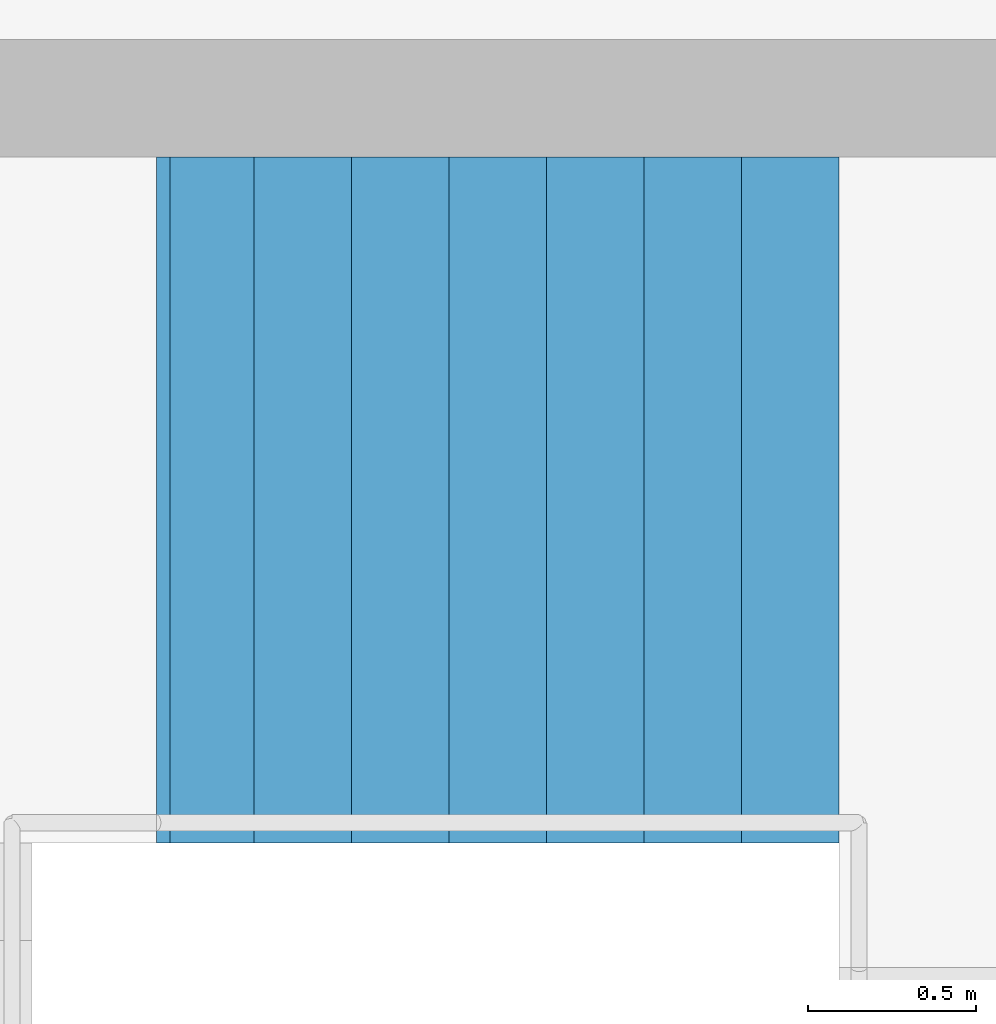
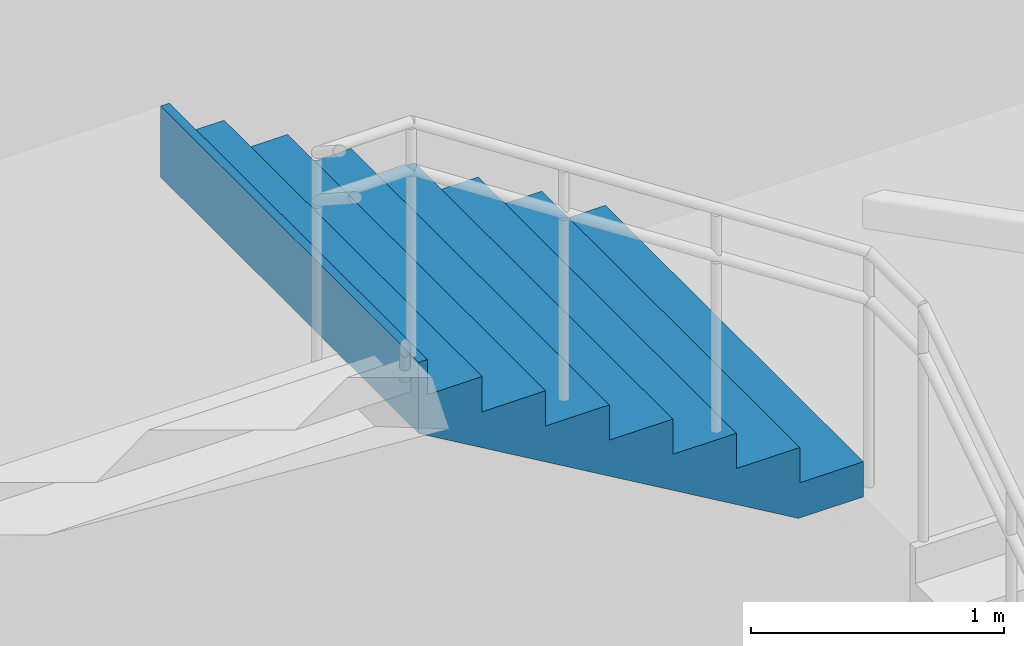
# One storey, part 29 of 50: 1 stair flight, 1 element without a shape of its own.
"""IFC4 building model written with IfcOpenShell, lengths in metres."""

from ifc_helpers import new_model, si_unit, direction, frame, origin, place, context, subcontext, project, spatial, triangles, material, type_object, element, aggregate, save


model = new_model("IFC4")

# Units and contexts
model_context = context("Model", 3, precision=1e-05, world=origin(), true_north=direction((0.0, 1.0)))
body_context = subcontext(model_context, "Body", "Model", "MODEL_VIEW")
ifc_project = project(units=[si_unit("LENGTHUNIT", "METRE"), si_unit("AREAUNIT", "SQUARE_METRE"), si_unit("VOLUMEUNIT", "CUBIC_METRE"), si_unit("PLANEANGLEUNIT", "RADIAN"), si_unit("MASSUNIT", "GRAM", prefix="KILO")], contexts=[model_context])

# Site, building, storey
site_placement = place(None, origin())
site = spatial("IfcSite", under=ifc_project, at=site_placement, CompositionType="ELEMENT")
building_placement = place(site_placement, origin())
building = spatial("IfcBuilding", under=site, at=building_placement, Name="Sillaruma Civic Art Gallery", CompositionType="ELEMENT")
storey_placement = place(building_placement, origin())
storey = spatial("IfcBuildingStorey", under=building, at=storey_placement, Name="L00", CompositionType="ELEMENT", Elevation=0.0)

# Stair, stair flight
ifc_material = material(Name="Concrete H35 (35 MPa)", Category="concrete")
stair_type = type_object("IfcStairType", Name="STR-4F-32", PredefinedType="USERDEFINED", material=ifc_material)
stair_placement = place(storey_placement, origin())
stair = element("IfcStair", 1, at=stair_placement, inside=storey, type_object=stair_type, Name="Protected Exit Stair ST-03 (West Bar South) (L00)", ObjectType="THREE_RETURN_STAIR", PredefinedType="USERDEFINED")
stair_flight_type = type_object("IfcStairFlightType", Name="SFL-STR-8", PredefinedType="STRAIGHT", material=ifc_material)
stair_flight_placement = place(storey_placement, frame((67.199951171875, 36.8701171875, 2.719970703125), z_axis=(0.0, 0.0, 1.0), x_axis=(-1.0, 0.0, 0.0)))
stair_flight = element("IfcStairFlight", 2, at=stair_flight_placement, type_object=stair_flight_type, Name="ST-03 flight 3", NumberOfRisers=8, NumberOfTreads=7, PredefinedType="STRAIGHT", RiserHeight=0.17, TreadLength=0.29, context=body_context, shape_type="Tessellation", body=[
    triangles([(0.0, -1.02001953125, 0.0), (0.29, -1.02001953125, 0.0), (0.296443, -1.02001953125, 0.0), (0.58, -1.02001953125, 0.166223), (0.87, -1.02001953125, 0.336223), (1.16, -1.02001953125, 0.506223), (1.45, -1.02001953125, 0.676223), (1.74, -1.02001953125, 0.846223), (1.990029, -1.02001953125, 0.992792), (2.030029, -1.02001953125, 1.01624), (2.030029, -1.02001953125, 1.36), (1.990029, -1.02001953125, 1.36), (1.990029, -1.02001953125, 1.19), (1.74, -1.02001953125, 1.19), (1.74, -1.02001953125, 1.02), (1.45, -1.02001953125, 1.02), (1.45, -1.02001953125, 0.85), (1.16, -1.02001953125, 0.85), (1.16, -1.02001953125, 0.68), (0.87, -1.02001953125, 0.68), (0.87, -1.02001953125, 0.51), (0.58, -1.02001953125, 0.51), (0.58, -1.02001953125, 0.34), (0.296443, -1.02001953125, 0.34), (0.29, -1.02001953125, 0.34), (0.29, -1.02001953125, 0.17), (0.0, -1.02001953125, 0.17), (0.0, -0.05, 0.0), (0.29, -0.05, 0.0), (0.296443, -0.05, 0.0), (0.58, -0.05, 0.166223), (0.87, -0.05, 0.336223), (1.16, -0.05, 0.506223), (1.45, -0.05, 0.676223), (1.74, -0.05, 0.846223), (1.990029, -0.05, 0.992792), (2.030029, -0.05, 1.01624), (2.030029, -0.05, 1.36), (1.990029, -0.05, 1.36), (1.990029, -0.05, 1.19), (1.74, -0.05, 1.19), (1.74, -0.05, 1.02), (1.45, -0.05, 1.02), (1.45, -0.05, 0.85), (1.16, -0.05, 0.85), (1.16, -0.05, 0.68), (0.87, -0.05, 0.68), (0.87, -0.05, 0.51), (0.58, -0.05, 0.51), (0.58, -0.05, 0.34), (0.296443, -0.05, 0.34), (0.29, -0.05, 0.34), (0.29, -0.05, 0.17), (0.0, -0.05, 0.17), (0.0, -0.0375, 0.0), (0.29, -0.0375, 0.0), (0.296443, -0.0375, 0.0), (0.58, -0.0375, 0.166223), (0.87, -0.0375, 0.336223), (1.16, -0.0375, 0.506223), (1.45, -0.0375, 0.676223), (1.74, -0.0375, 0.846223), (1.990029, -0.0375, 0.992792), (2.030029, -0.0375, 1.01624), (2.030029, -0.0375, 1.36), (1.990029, -0.0375, 1.36), (1.990029, -0.0375, 1.19), (1.74, -0.0375, 1.19), (1.74, -0.0375, 1.02), (1.45, -0.0375, 1.02), (1.45, -0.0375, 0.85), (1.16, -0.0375, 0.85), (1.16, -0.0375, 0.68), (0.87, -0.0375, 0.68), (0.87, -0.0375, 0.51), (0.58, -0.0375, 0.51), (0.58, -0.0375, 0.34), (0.296443, -0.0375, 0.34), (0.29, -0.0375, 0.34), (0.29, -0.0375, 0.17), (0.0, -0.0375, 0.17), (0.0, -0.025, 0.0), (0.29, -0.025, 0.0), (0.296443, -0.025, 0.0), (0.58, -0.025, 0.166223), (0.87, -0.025, 0.336223), (1.16, -0.025, 0.506223), (1.45, -0.025, 0.676223), (1.74, -0.025, 0.846223), (1.990029, -0.025, 0.992792), (2.030029, -0.025, 1.01624), (2.030029, -0.025, 1.36), (1.990029, -0.025, 1.36), (1.990029, -0.025, 1.19), (1.74, -0.025, 1.19), (1.74, -0.025, 1.02), (1.45, -0.025, 1.02), (1.45, -0.025, 0.85), (1.16, -0.025, 0.85), (1.16, -0.025, 0.68), (0.87, -0.025, 0.68), (0.87, -0.025, 0.51), (0.58, -0.025, 0.51), (0.58, -0.025, 0.34), (0.296443, -0.025, 0.34), (0.29, -0.025, 0.34), (0.29, -0.025, 0.17), (0.0, -0.025, 0.17), (0.0, -0.0125, 0.0), (0.29, -0.0125, 0.0), (0.296443, -0.0125, 0.0), (0.58, -0.0125, 0.166223), (0.87, -0.0125, 0.336223), (1.16, -0.0125, 0.506223), (1.45, -0.0125, 0.676223), (1.74, -0.0125, 0.846223), (1.990029, -0.0125, 0.992792), (2.030029, -0.0125, 1.01624), (2.030029, -0.0125, 1.36), (1.990029, -0.0125, 1.36), (1.990029, -0.0125, 1.19), (1.74, -0.0125, 1.19), (1.74, -0.0125, 1.02), (1.45, -0.0125, 1.02), (1.45, -0.0125, 0.85), (1.16, -0.0125, 0.85), (1.16, -0.0125, 0.68), (0.87, -0.0125, 0.68), (0.87, -0.0125, 0.51), (0.58, -0.0125, 0.51), (0.58, -0.0125, 0.34), (0.296443, -0.0125, 0.34), (0.29, -0.0125, 0.34), (0.29, -0.0125, 0.17), (0.0, -0.0125, 0.17), (0.0, 0.0, 0.0), (0.29, 0.0, 0.0), (0.296443, 0.0, 0.0), (0.58, 0.0, 0.166223), (0.87, 0.0, 0.336223), (1.16, 0.0, 0.506223), (1.45, 0.0, 0.676223), (1.74, 0.0, 0.846223), (1.990029, 0.0, 0.992792), (2.030029, 0.0, 1.01624), (2.030029, 0.0, 1.36), (1.990029, 0.0, 1.36), (1.990029, 0.0, 1.19), (1.74, 0.0, 1.19), (1.74, 0.0, 1.02), (1.45, 0.0, 1.02), (1.45, 0.0, 0.85), (1.16, 0.0, 0.85), (1.16, 0.0, 0.68), (0.87, 0.0, 0.68), (0.87, 0.0, 0.51), (0.58, 0.0, 0.51), (0.58, 0.0, 0.34), (0.296443, 0.0, 0.34), (0.29, 0.0, 0.34), (0.29, 0.0, 0.17), (0.0, 0.0, 0.17), (0.0, 0.0125, 0.0), (0.29, 0.0125, 0.0), (0.296443, 0.0125, 0.0), (0.58, 0.0125, 0.166223), (0.87, 0.0125, 0.336223), (1.16, 0.0125, 0.506223), (1.45, 0.0125, 0.676223), (1.74, 0.0125, 0.846223), (1.990029, 0.0125, 0.992792), (2.030029, 0.0125, 1.01624), (2.030029, 0.0125, 1.36), (1.990029, 0.0125, 1.36), (1.990029, 0.0125, 1.19), (1.74, 0.0125, 1.19), (1.74, 0.0125, 1.02), (1.45, 0.0125, 1.02), (1.45, 0.0125, 0.85), (1.16, 0.0125, 0.85), (1.16, 0.0125, 0.68), (0.87, 0.0125, 0.68), (0.87, 0.0125, 0.51), (0.58, 0.0125, 0.51), (0.58, 0.0125, 0.34), (0.296443, 0.0125, 0.34), (0.29, 0.0125, 0.34), (0.29, 0.0125, 0.17), (0.0, 0.0125, 0.17), (0.0, 0.025, 0.0), (0.29, 0.025, 0.0), (0.296443, 0.025, 0.0), (0.58, 0.025, 0.166223), (0.87, 0.025, 0.336223), (1.16, 0.025, 0.506223), (1.45, 0.025, 0.676223), (1.74, 0.025, 0.846223), (1.990029, 0.025, 0.992792), (2.030029, 0.025, 1.01624), (2.030029, 0.025, 1.36), (1.990029, 0.025, 1.36), (1.990029, 0.025, 1.19), (1.74, 0.025, 1.19), (1.74, 0.025, 1.02), (1.45, 0.025, 1.02), (1.45, 0.025, 0.85), (1.16, 0.025, 0.85), (1.16, 0.025, 0.68), (0.87, 0.025, 0.68), (0.87, 0.025, 0.51), (0.58, 0.025, 0.51), (0.58, 0.025, 0.34), (0.296443, 0.025, 0.34), (0.29, 0.025, 0.34), (0.29, 0.025, 0.17), (0.0, 0.025, 0.17), (0.0, 0.0375, 0.0), (0.29, 0.0375, 0.0), (0.296443, 0.0375, 0.0), (0.58, 0.0375, 0.166223), (0.87, 0.0375, 0.336223), (1.16, 0.0375, 0.506223), (1.45, 0.0375, 0.676223), (1.74, 0.0375, 0.846223), (1.990029, 0.0375, 0.992792), (2.030029, 0.0375, 1.01624), (2.030029, 0.0375, 1.36), (1.990029, 0.0375, 1.36), (1.990029, 0.0375, 1.19), (1.74, 0.0375, 1.19), (1.74, 0.0375, 1.02), (1.45, 0.0375, 1.02), (1.45, 0.0375, 0.85), (1.16, 0.0375, 0.85), (1.16, 0.0375, 0.68), (0.87, 0.0375, 0.68), (0.87, 0.0375, 0.51), (0.58, 0.0375, 0.51), (0.58, 0.0375, 0.34), (0.296443, 0.0375, 0.34), (0.29, 0.0375, 0.34), (0.29, 0.0375, 0.17), (0.0, 0.0375, 0.17), (0.0, 0.05, 0.0), (0.29, 0.05, 0.0), (0.296443, 0.05, 0.0), (0.58, 0.05, 0.166223), (0.87, 0.05, 0.336223), (1.16, 0.05, 0.506223), (1.45, 0.05, 0.676223), (1.74, 0.05, 0.846223), (1.990029, 0.05, 0.992792), (2.030029, 0.05, 1.01624), (2.030029, 0.05, 1.36), (1.990029, 0.05, 1.36), (1.990029, 0.05, 1.19), (1.74, 0.05, 1.19), (1.74, 0.05, 1.02), (1.45, 0.05, 1.02), (1.45, 0.05, 0.85), (1.16, 0.05, 0.85), (1.16, 0.05, 0.68), (0.87, 0.05, 0.68), (0.87, 0.05, 0.51), (0.58, 0.05, 0.51), (0.58, 0.05, 0.34), (0.296443, 0.05, 0.34), (0.29, 0.05, 0.34), (0.29, 0.05, 0.17), (0.0, 0.05, 0.17), (0.0, 1.02001953125, 0.0), (0.29, 1.02001953125, 0.0), (0.296443, 1.02001953125, 0.0), (0.58, 1.02001953125, 0.166223), (0.87, 1.02001953125, 0.336223), (1.16, 1.02001953125, 0.506223), (1.45, 1.02001953125, 0.676223), (1.74, 1.02001953125, 0.846223), (1.990029, 1.02001953125, 0.992792), (2.030029, 1.02001953125, 1.01624), (2.030029, 1.02001953125, 1.36), (1.990029, 1.02001953125, 1.36), (1.990029, 1.02001953125, 1.19), (1.74, 1.02001953125, 1.19), (1.74, 1.02001953125, 1.02), (1.45, 1.02001953125, 1.02), (1.45, 1.02001953125, 0.85), (1.16, 1.02001953125, 0.85), (1.16, 1.02001953125, 0.68), (0.87, 1.02001953125, 0.68), (0.87, 1.02001953125, 0.51), (0.58, 1.02001953125, 0.51), (0.58, 1.02001953125, 0.34), (0.296443, 1.02001953125, 0.34), (0.29, 1.02001953125, 0.34), (0.29, 1.02001953125, 0.17), (0.0, 1.02001953125, 0.17)], [[1, 2, 26], [1, 26, 27], [2, 3, 24], [2, 24, 26], [26, 24, 25], [3, 4, 23], [3, 23, 24], [4, 5, 21], [4, 21, 23], [23, 21, 22], [5, 6, 19], [5, 19, 21], [21, 19, 20], [6, 7, 17], [6, 17, 19], [19, 17, 18], [7, 8, 15], [7, 15, 17], [17, 15, 16], [8, 9, 13], [8, 13, 15], [15, 13, 14], [9, 10, 11], [9, 11, 13], [13, 11, 12], [296, 272, 271], [297, 296, 271], [294, 273, 272], [296, 294, 272], [295, 294, 296], [293, 274, 273], [294, 293, 273], [291, 275, 274], [293, 291, 274], [292, 291, 293], [289, 276, 275], [291, 289, 275], [290, 289, 291], [287, 277, 276], [289, 287, 276], [288, 287, 289], [285, 278, 277], [287, 285, 277], [286, 285, 287], [283, 279, 278], [285, 283, 278], [284, 283, 285], [281, 280, 279], [283, 281, 279], [282, 281, 283], [2, 1, 28], [2, 28, 29], [3, 2, 29], [3, 29, 30], [4, 3, 30], [4, 30, 31], [5, 4, 31], [5, 31, 32], [6, 5, 32], [6, 32, 33], [7, 6, 33], [7, 33, 34], [8, 7, 34], [8, 34, 35], [9, 8, 35], [9, 35, 36], [10, 9, 36], [10, 36, 37], [11, 10, 37], [11, 37, 38], [12, 11, 38], [12, 38, 39], [13, 12, 39], [13, 39, 40], [14, 13, 40], [14, 40, 41], [15, 14, 41], [15, 41, 42], [16, 15, 42], [16, 42, 43], [17, 16, 43], [17, 43, 44], [18, 17, 44], [18, 44, 45], [19, 18, 45], [19, 45, 46], [20, 19, 46], [20, 46, 47], [21, 20, 47], [21, 47, 48], [22, 21, 48], [22, 48, 49], [23, 22, 49], [23, 49, 50], [24, 23, 50], [24, 50, 51], [25, 24, 51], [25, 51, 52], [26, 25, 52], [26, 52, 53], [27, 26, 53], [27, 53, 54], [1, 27, 54], [1, 54, 28], [29, 28, 55], [29, 55, 56], [30, 29, 56], [30, 56, 57], [31, 30, 57], [31, 57, 58], [32, 31, 58], [32, 58, 59], [33, 32, 59], [33, 59, 60], [34, 33, 60], [34, 60, 61], [35, 34, 61], [35, 61, 62], [36, 35, 62], [36, 62, 63], [37, 36, 63], [37, 63, 64], [38, 37, 64], [38, 64, 65], [39, 38, 65], [39, 65, 66], [40, 39, 66], [40, 66, 67], [41, 40, 67], [41, 67, 68], [42, 41, 68], [42, 68, 69], [43, 42, 69], [43, 69, 70], [44, 43, 70], [44, 70, 71], [45, 44, 71], [45, 71, 72], [46, 45, 72], [46, 72, 73], [47, 46, 73], [47, 73, 74], [48, 47, 74], [48, 74, 75], [49, 48, 75], [49, 75, 76], [50, 49, 76], [50, 76, 77], [51, 50, 77], [51, 77, 78], [52, 51, 78], [52, 78, 79], [53, 52, 79], [53, 79, 80], [54, 53, 80], [54, 80, 81], [28, 54, 81], [28, 81, 55], [56, 55, 82], [56, 82, 83], [57, 56, 83], [57, 83, 84], [58, 57, 84], [58, 84, 85], [59, 58, 85], [59, 85, 86], [60, 59, 86], [60, 86, 87], [61, 60, 87], [61, 87, 88], [62, 61, 88], [62, 88, 89], [63, 62, 89], [63, 89, 90], [64, 63, 90], [64, 90, 91], [65, 64, 91], [65, 91, 92], [66, 65, 92], [66, 92, 93], [67, 66, 93], [67, 93, 94], [68, 67, 94], [68, 94, 95], [69, 68, 95], [69, 95, 96], [70, 69, 96], [70, 96, 97], [71, 70, 97], [71, 97, 98], [72, 71, 98], [72, 98, 99], [73, 72, 99], [73, 99, 100], [74, 73, 100], [74, 100, 101], [75, 74, 101], [75, 101, 102], [76, 75, 102], [76, 102, 103], [77, 76, 103], [77, 103, 104], [78, 77, 104], [78, 104, 105], [79, 78, 105], [79, 105, 106], [80, 79, 106], [80, 106, 107], [81, 80, 107], [81, 107, 108], [55, 81, 108], [55, 108, 82], [83, 82, 109], [83, 109, 110], [84, 83, 110], [84, 110, 111], [85, 84, 111], [85, 111, 112], [86, 85, 112], [86, 112, 113], [87, 86, 113], [87, 113, 114], [88, 87, 114], [88, 114, 115], [89, 88, 115], [89, 115, 116], [90, 89, 116], [90, 116, 117], [91, 90, 117], [91, 117, 118], [92, 91, 118], [92, 118, 119], [93, 92, 119], [93, 119, 120], [94, 93, 120], [94, 120, 121], [95, 94, 121], [95, 121, 122], [96, 95, 122], [96, 122, 123], [97, 96, 123], [97, 123, 124], [98, 97, 124], [98, 124, 125], [99, 98, 125], [99, 125, 126], [100, 99, 126], [100, 126, 127], [101, 100, 127], [101, 127, 128], [102, 101, 128], [102, 128, 129], [103, 102, 129], [103, 129, 130], [104, 103, 130], [104, 130, 131], [105, 104, 131], [105, 131, 132], [106, 105, 132], [106, 132, 133], [107, 106, 133], [107, 133, 134], [108, 107, 134], [108, 134, 135], [82, 108, 135], [82, 135, 109], [110, 109, 136], [110, 136, 137], [111, 110, 137], [111, 137, 138], [112, 111, 138], [112, 138, 139], [113, 112, 139], [113, 139, 140], [114, 113, 140], [114, 140, 141], [115, 114, 141], [115, 141, 142], [116, 115, 142], [116, 142, 143], [117, 116, 143], [117, 143, 144], [118, 117, 144], [118, 144, 145], [119, 118, 145], [119, 145, 146], [120, 119, 146], [120, 146, 147], [121, 120, 147], [121, 147, 148], [122, 121, 148], [122, 148, 149], [123, 122, 149], [123, 149, 150], [124, 123, 150], [124, 150, 151], [125, 124, 151], [125, 151, 152], [126, 125, 152], [126, 152, 153], [127, 126, 153], [127, 153, 154], [128, 127, 154], [128, 154, 155], [129, 128, 155], [129, 155, 156], [130, 129, 156], [130, 156, 157], [131, 130, 157], [131, 157, 158], [132, 131, 158], [132, 158, 159], [133, 132, 159], [133, 159, 160], [134, 133, 160], [134, 160, 161], [135, 134, 161], [135, 161, 162], [109, 135, 162], [109, 162, 136], [137, 136, 163], [137, 163, 164], [138, 137, 164], [138, 164, 165], [139, 138, 165], [139, 165, 166], [140, 139, 166], [140, 166, 167], [141, 140, 167], [141, 167, 168], [142, 141, 168], [142, 168, 169], [143, 142, 169], [143, 169, 170], [144, 143, 170], [144, 170, 171], [145, 144, 171], [145, 171, 172], [146, 145, 172], [146, 172, 173], [147, 146, 173], [147, 173, 174], [148, 147, 174], [148, 174, 175], [149, 148, 175], [149, 175, 176], [150, 149, 176], [150, 176, 177], [151, 150, 177], [151, 177, 178], [152, 151, 178], [152, 178, 179], [153, 152, 179], [153, 179, 180], [154, 153, 180], [154, 180, 181], [155, 154, 181], [155, 181, 182], [156, 155, 182], [156, 182, 183], [157, 156, 183], [157, 183, 184], [158, 157, 184], [158, 184, 185], [159, 158, 185], [159, 185, 186], [160, 159, 186], [160, 186, 187], [161, 160, 187], [161, 187, 188], [162, 161, 188], [162, 188, 189], [136, 162, 189], [136, 189, 163], [164, 163, 190], [164, 190, 191], [165, 164, 191], [165, 191, 192], [166, 165, 192], [166, 192, 193], [167, 166, 193], [167, 193, 194], [168, 167, 194], [168, 194, 195], [169, 168, 195], [169, 195, 196], [170, 169, 196], [170, 196, 197], [171, 170, 197], [171, 197, 198], [172, 171, 198], [172, 198, 199], [173, 172, 199], [173, 199, 200], [174, 173, 200], [174, 200, 201], [175, 174, 201], [175, 201, 202], [176, 175, 202], [176, 202, 203], [177, 176, 203], [177, 203, 204], [178, 177, 204], [178, 204, 205], [179, 178, 205], [179, 205, 206], [180, 179, 206], [180, 206, 207], [181, 180, 207], [181, 207, 208], [182, 181, 208], [182, 208, 209], [183, 182, 209], [183, 209, 210], [184, 183, 210], [184, 210, 211], [185, 184, 211], [185, 211, 212], [186, 185, 212], [186, 212, 213], [187, 186, 213], [187, 213, 214], [188, 187, 214], [188, 214, 215], [189, 188, 215], [189, 215, 216], [163, 189, 216], [163, 216, 190], [191, 190, 217], [191, 217, 218], [192, 191, 218], [192, 218, 219], [193, 192, 219], [193, 219, 220], [194, 193, 220], [194, 220, 221], [195, 194, 221], [195, 221, 222], [196, 195, 222], [196, 222, 223], [197, 196, 223], [197, 223, 224], [198, 197, 224], [198, 224, 225], [199, 198, 225], [199, 225, 226], [200, 199, 226], [200, 226, 227], [201, 200, 227], [201, 227, 228], [202, 201, 228], [202, 228, 229], [203, 202, 229], [203, 229, 230], [204, 203, 230], [204, 230, 231], [205, 204, 231], [205, 231, 232], [206, 205, 232], [206, 232, 233], [207, 206, 233], [207, 233, 234], [208, 207, 234], [208, 234, 235], [209, 208, 235], [209, 235, 236], [210, 209, 236], [210, 236, 237], [211, 210, 237], [211, 237, 238], [212, 211, 238], [212, 238, 239], [213, 212, 239], [213, 239, 240], [214, 213, 240], [214, 240, 241], [215, 214, 241], [215, 241, 242], [216, 215, 242], [216, 242, 243], [190, 216, 243], [190, 243, 217], [218, 217, 244], [218, 244, 245], [219, 218, 245], [219, 245, 246], [220, 219, 246], [220, 246, 247], [221, 220, 247], [221, 247, 248], [222, 221, 248], [222, 248, 249], [223, 222, 249], [223, 249, 250], [224, 223, 250], [224, 250, 251], [225, 224, 251], [225, 251, 252], [226, 225, 252], [226, 252, 253], [227, 226, 253], [227, 253, 254], [228, 227, 254], [228, 254, 255], [229, 228, 255], [229, 255, 256], [230, 229, 256], [230, 256, 257], [231, 230, 257], [231, 257, 258], [232, 231, 258], [232, 258, 259], [233, 232, 259], [233, 259, 260], [234, 233, 260], [234, 260, 261], [235, 234, 261], [235, 261, 262], [236, 235, 262], [236, 262, 263], [237, 236, 263], [237, 263, 264], [238, 237, 264], [238, 264, 265], [239, 238, 265], [239, 265, 266], [240, 239, 266], [240, 266, 267], [241, 240, 267], [241, 267, 268], [242, 241, 268], [242, 268, 269], [243, 242, 269], [243, 269, 270], [217, 243, 270], [217, 270, 244], [245, 244, 271], [245, 271, 272], [246, 245, 272], [246, 272, 273], [247, 246, 273], [247, 273, 274], [248, 247, 274], [248, 274, 275], [249, 248, 275], [249, 275, 276], [250, 249, 276], [250, 276, 277], [251, 250, 277], [251, 277, 278], [252, 251, 278], [252, 278, 279], [253, 252, 279], [253, 279, 280], [254, 253, 280], [254, 280, 281], [255, 254, 281], [255, 281, 282], [256, 255, 282], [256, 282, 283], [257, 256, 283], [257, 283, 284], [258, 257, 284], [258, 284, 285], [259, 258, 285], [259, 285, 286], [260, 259, 286], [260, 286, 287], [261, 260, 287], [261, 287, 288], [262, 261, 288], [262, 288, 289], [263, 262, 289], [263, 289, 290], [264, 263, 290], [264, 290, 291], [265, 264, 291], [265, 291, 292], [266, 265, 292], [266, 292, 293], [267, 266, 293], [267, 293, 294], [268, 267, 294], [268, 294, 295], [269, 268, 295], [269, 295, 296], [270, 269, 296], [270, 296, 297], [244, 270, 297], [244, 297, 271]], closed=True),
])
aggregate(stair, [stair_flight])

save(model, "model.ifc")
